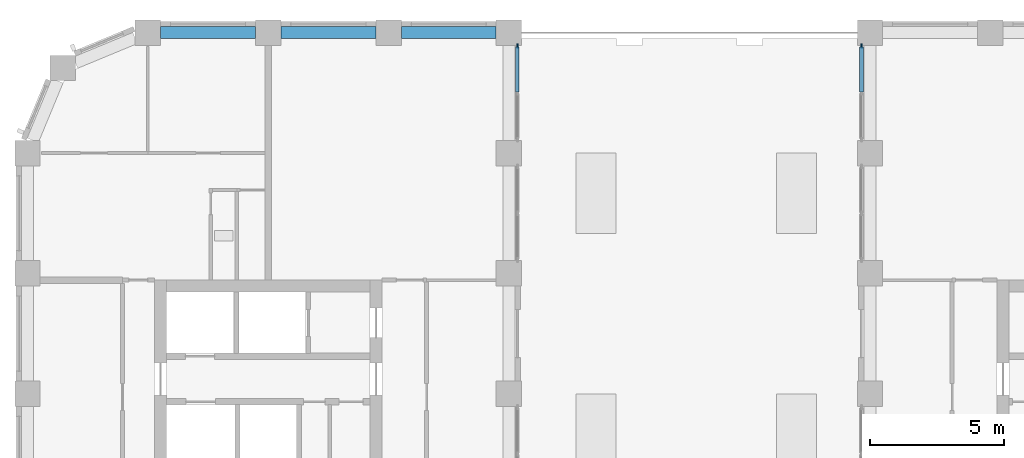
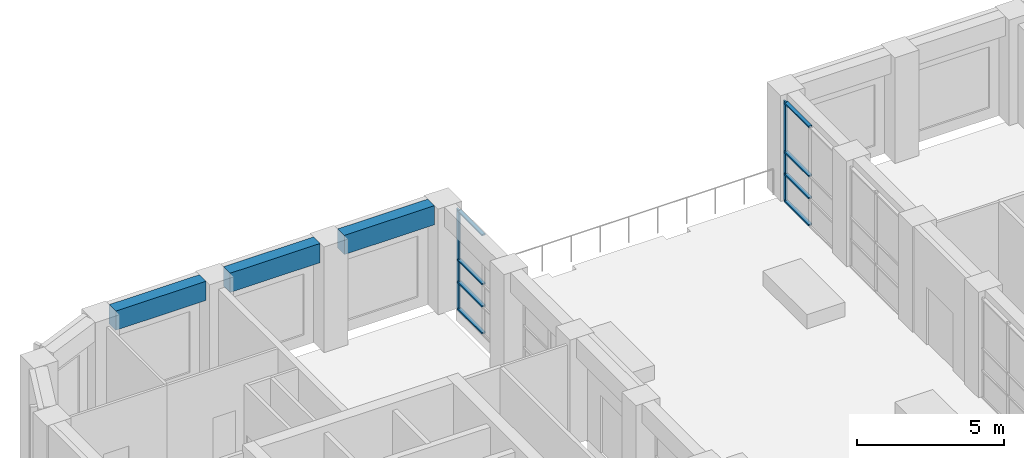
# One storey, part 6 of 20: 10 members, 3 beams, 2 elements without a shape of their own.
"""IFC4 building model written with IfcOpenShell, lengths in metres."""

from ifc_helpers import new_model, si_unit, direction, frame, origin, origin_2d, place, context, subcontext, project, spatial, rectangle, extrude, material, material_profile, profile_set, type_object, element, aggregate, save


model = new_model("IFC4")

# Units and contexts
model_context = context("Model", 3, precision=1e-05, world=origin(), true_north=direction((0.0, 1.0)))
body_context = subcontext(model_context, "Body", "Model", "MODEL_VIEW")
ifc_project = project(units=[si_unit("LENGTHUNIT", "METRE"), si_unit("AREAUNIT", "SQUARE_METRE"), si_unit("VOLUMEUNIT", "CUBIC_METRE"), si_unit("PLANEANGLEUNIT", "RADIAN"), si_unit("MASSUNIT", "GRAM", prefix="KILO")], contexts=[model_context])

# Site, building, storey
site_placement = place(None, origin())
site = spatial("IfcSite", under=ifc_project, at=site_placement, CompositionType="ELEMENT")
building_placement = place(site_placement, origin())
building = spatial("IfcBuilding", under=site, at=building_placement, Name="Girih Gate Residences", CompositionType="ELEMENT")
storey_placement = place(building_placement, frame((0.0, 0.0, 146.199951171875)))
storey = spatial("IfcBuildingStorey", under=building, at=storey_placement, Name="L41", CompositionType="ELEMENT", Elevation=146.199951171875)

# Curtain wall, member
ifc_material_1 = material(Name="Aluminium curtain wall frame", Category="aluminium")
curtain_wall_type = type_object("IfcCurtainWallType", Name="Curtain wall CW-3 sky lounge glazing", PredefinedType="NOTDEFINED", material=ifc_material_1)
curtain_wall_1_placement = place(storey_placement, origin())
curtain_wall_1 = element("IfcCurtainWall", 1, at=curtain_wall_1_placement, inside=storey, type_object=curtain_wall_type, Name="CW-3 Sky lounge glazing E0180_0000.10", PredefinedType="NOTDEFINED")
ifc_material_profile_1 = material_profile(ifc_material_1, rectangle(XDim=0.06005859375, YDim=0.179931640625, at=origin_2d()))
ifc_profile_set_1 = profile_set([ifc_material_profile_1], Name="Aluminium curtain wall frame")
member_type_1 = type_object("IfcMemberType", Name="Curtain wall mullion 60x180", PredefinedType="MULLION", material=ifc_profile_set_1)
member_1_placement = place(storey_placement, frame((18.31494140625, 48.9951171875, 0.0), z_axis=(0.0, 0.0, 1.0), x_axis=(-1.0, 0.0, 0.0)))
member_1 = element("IfcMember", 2, at=member_1_placement, type_object=member_type_1, Name="CW-3 mullion 3", PredefinedType="MULLION", context=body_context, shape_type="SweptSolid", body=[
    extrude(rectangle(XDim=0.06005859375, YDim=0.179931640625, at=origin_2d()), origin(), (0.0, 0.0, 1.0), 4.150146484375),
])

curtain_wall_2_placement = place(storey_placement, origin())
curtain_wall_2 = element("IfcCurtainWall", 3, at=curtain_wall_2_placement, inside=storey, type_object=curtain_wall_type, Name="CW-3 Sky lounge glazing W0315_0495.0", PredefinedType="NOTDEFINED")
member_2_placement = place(storey_placement, frame((31.18505859375, 48.9951171875, 0.0), z_axis=(0.0, 0.0, 1.0), x_axis=(1.0, 0.0, 0.0)))
member_2 = element("IfcMember", 4, at=member_2_placement, type_object=member_type_1, Name="CW-3 mullion 1", PredefinedType="MULLION", context=body_context, shape_type="SweptSolid", body=[
    extrude(rectangle(XDim=0.06005859375, YDim=0.179931640625, at=origin_2d()), origin(), (0.0, 0.0, 1.0), 4.150146484375),
])

# Member
ifc_material_profile_2 = material_profile(ifc_material_1, rectangle(XDim=0.139892578125, YDim=0.06005859375, at=origin_2d()))
ifc_profile_set_2 = profile_set([ifc_material_profile_2], Name="Aluminium curtain wall frame")
member_type_2 = type_object("IfcMemberType", Name="Curtain wall transom 60x140", PredefinedType="USERDEFINED", material=ifc_profile_set_2)
member_3_placement = place(storey_placement, frame((18.31494140625, 47.280029296875, 0.030029296875), z_axis=(0.0, 1.0, 0.0), x_axis=(-1.0, 0.0, 0.0)))
member_3 = element("IfcMember", 5, at=member_3_placement, type_object=member_type_2, Name="CW-3 transom 2.1", ObjectType="TRANSOM", PredefinedType="USERDEFINED", context=body_context, shape_type="SweptSolid", body=[
    extrude(rectangle(XDim=0.139892578125, YDim=0.06005859375, at=origin_2d()), origin(), (0.0, 0.0, 1.0), 1.68505859375),
])

member_4_placement = place(storey_placement, frame((18.31494140625, 47.280029296875, 1.150146484375), z_axis=(0.0, 1.0, 0.0), x_axis=(-1.0, 0.0, 0.0)))
member_4 = element("IfcMember", 6, at=member_4_placement, type_object=member_type_2, Name="CW-3 transom 2.2", ObjectType="TRANSOM", PredefinedType="USERDEFINED", context=body_context, shape_type="SweptSolid", body=[
    extrude(rectangle(XDim=0.139892578125, YDim=0.06005859375, at=origin_2d()), origin(), (0.0, 0.0, 1.0), 1.68505859375),
])

member_5_placement = place(storey_placement, frame((18.31494140625, 47.280029296875, 2.074951171875), z_axis=(0.0, 1.0, 0.0), x_axis=(-1.0, 0.0, 0.0)))
member_5 = element("IfcMember", 7, at=member_5_placement, type_object=member_type_2, Name="CW-3 transom 2.3", ObjectType="TRANSOM", PredefinedType="USERDEFINED", context=body_context, shape_type="SweptSolid", body=[
    extrude(rectangle(XDim=0.139892578125, YDim=0.06005859375, at=origin_2d()), origin(), (0.0, 0.0, 1.0), 1.68505859375),
])

member_6_placement = place(storey_placement, frame((18.31494140625, 47.280029296875, 4.1201171875), z_axis=(0.0, 1.0, 0.0), x_axis=(-1.0, 0.0, 0.0)))
member_6 = element("IfcMember", 8, at=member_6_placement, type_object=member_type_2, Name="CW-3 transom 2.4", ObjectType="TRANSOM", PredefinedType="USERDEFINED", context=body_context, shape_type="SweptSolid", body=[
    extrude(rectangle(XDim=0.139892578125, YDim=0.06005859375, at=origin_2d()), origin(), (0.0, 0.0, 1.0), 1.68505859375),
])

aggregate(curtain_wall_1, [member_1, member_3, member_4, member_5, member_6])

member_7_placement = place(storey_placement, frame((31.18505859375, 48.965087890625, 0.030029296875), z_axis=(0.0, -1.0, 0.0), x_axis=(1.0, 0.0, 0.0)))
member_7 = element("IfcMember", 9, at=member_7_placement, type_object=member_type_2, Name="CW-3 transom 1.1", ObjectType="TRANSOM", PredefinedType="USERDEFINED", context=body_context, shape_type="SweptSolid", body=[
    extrude(rectangle(XDim=0.139892578125, YDim=0.06005859375, at=origin_2d()), origin(), (0.0, 0.0, 1.0), 1.68505859375),
])

member_8_placement = place(storey_placement, frame((31.18505859375, 48.965087890625, 1.150146484375), z_axis=(0.0, -1.0, 0.0), x_axis=(1.0, 0.0, 0.0)))
member_8 = element("IfcMember", 10, at=member_8_placement, type_object=member_type_2, Name="CW-3 transom 1.2", ObjectType="TRANSOM", PredefinedType="USERDEFINED", context=body_context, shape_type="SweptSolid", body=[
    extrude(rectangle(XDim=0.139892578125, YDim=0.06005859375, at=origin_2d()), origin(), (0.0, 0.0, 1.0), 1.68505859375),
])

member_9_placement = place(storey_placement, frame((31.18505859375, 48.965087890625, 2.074951171875), z_axis=(0.0, -1.0, 0.0), x_axis=(1.0, 0.0, 0.0)))
member_9 = element("IfcMember", 11, at=member_9_placement, type_object=member_type_2, Name="CW-3 transom 1.3", ObjectType="TRANSOM", PredefinedType="USERDEFINED", context=body_context, shape_type="SweptSolid", body=[
    extrude(rectangle(XDim=0.139892578125, YDim=0.06005859375, at=origin_2d()), origin(), (0.0, 0.0, 1.0), 1.68505859375),
])

member_10_placement = place(storey_placement, frame((31.18505859375, 48.965087890625, 4.1201171875), z_axis=(0.0, -1.0, 0.0), x_axis=(1.0, 0.0, 0.0)))
member_10 = element("IfcMember", 12, at=member_10_placement, type_object=member_type_2, Name="CW-3 transom 1.4", ObjectType="TRANSOM", PredefinedType="USERDEFINED", context=body_context, shape_type="SweptSolid", body=[
    extrude(rectangle(XDim=0.139892578125, YDim=0.06005859375, at=origin_2d()), origin(), (0.0, 0.0, 1.0), 1.68505859375),
])

aggregate(curtain_wall_2, [member_2, member_7, member_8, member_9, member_10])

# Beams
ifc_material_2 = material(Name="Concrete C60/75", Category="concrete")
ifc_material_profile_3 = material_profile(ifc_material_2, rectangle(XDim=0.449951171875, YDim=0.800048828125, at=origin_2d()))
ifc_profile_set_3 = profile_set([ifc_material_profile_3], Name="Concrete C60/75")
beam_type = type_object("IfcBeamType", Name="Spandrel girder RC 450x800 Concrete C60/75", PredefinedType="BEAM", material=ifc_profile_set_3)
for number, where, z_axis, x_axis, name in (
    (13, (17.52490234375, 49.5, 4.0), (-1.0, 0.0, 0.0), (0.0, -1.0, 0.0), "Spandrel girder SP-P5L-P4L L41"),
    (14, (13.02490234375, 49.5, 4.0), (-1.0, 0.0, 0.0), (0.0, -1.0, 0.0), "Spandrel girder SP-P4L-P3L L41"),
    (15, (8.52490234375, 49.5, 4.0), (-1.0, 0.0, 0.0), (0.0, -1.0, 0.0), "Spandrel girder SP-P3L-P2L L41"),
):
    element("IfcBeam", number, at=place(storey_placement, frame(where, z_axis=z_axis, x_axis=x_axis)), inside=storey, type_object=beam_type, Name=name, PredefinedType="BEAM", context=body_context, shape_type="SweptSolid", body=[
        extrude(rectangle(XDim=0.449951171875, YDim=0.800048828125, at=origin_2d()), origin(), (0.0, 0.0, 1.0), 3.5498046875),
    ])

save(model, "model.ifc")
